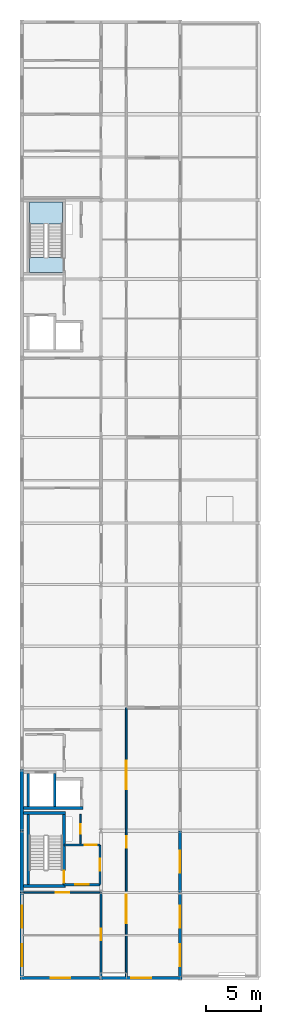
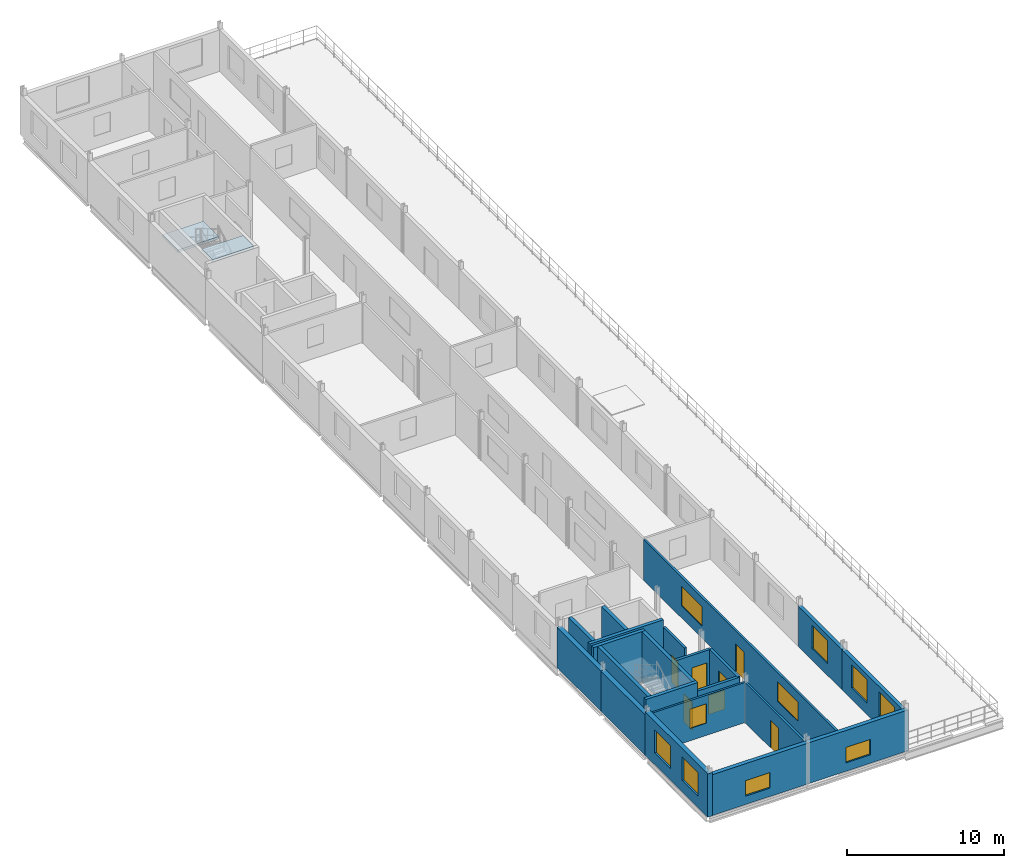
# One storey, part 7 of 14: 21 walls, 11 windows, 6 doors, 2 slabs, 17 openings, 1 element without a shape of its own.
"""IFC4 building model written with IfcOpenShell, lengths in metres."""

from ifc_helpers import new_model, si_unit, direction, frame, frame_2d, origin, place, context, subcontext, project, spatial, polyline, rectangle, outline, extrude, material, layer, layer_set, type_object, element, fill, aggregate, save


model = new_model("IFC4")

# Units and contexts
model_context = context("Model", 3, precision=1e-05, world=origin(), true_north=direction((0.0, 1.0)))
body_context = subcontext(model_context, "Body", "Model", "MODEL_VIEW")
ifc_project = project(units=[si_unit("LENGTHUNIT", "METRE"), si_unit("AREAUNIT", "SQUARE_METRE"), si_unit("VOLUMEUNIT", "CUBIC_METRE"), si_unit("PLANEANGLEUNIT", "RADIAN"), si_unit("MASSUNIT", "GRAM", prefix="KILO")], contexts=[model_context])

# Site, building, storey
site_placement = place(None, origin())
site = spatial("IfcSite", under=ifc_project, at=site_placement, CompositionType="ELEMENT")
building_placement = place(site_placement, origin())
building = spatial("IfcBuilding", under=site, at=building_placement, Name="Vinh Khe Railworks Police Headquarters", CompositionType="ELEMENT")
storey_placement = place(building_placement, frame((0.0, 0.0, 32.699951171875)))
storey = spatial("IfcBuildingStorey", under=building, at=storey_placement, Name="L08", CompositionType="ELEMENT", Elevation=32.699951171875)

# Stair, slabs
ifc_material_1 = material(Name="Precast concrete C40/50 (B40)", Category="concrete")
stair_type = type_object("IfcStairType", Name="ST-CORE-DOGLEG", PredefinedType="HALF_TURN_STAIR", material=ifc_material_1)
stair_placement = place(storey_placement, origin())
stair = element("IfcStair", 1, at=stair_placement, inside=storey, type_object=stair_type, Name="L08 Escape Stair ST-02", PredefinedType="HALF_TURN_STAIR")
ifc_material_2 = material(Name="Concrete C35/45 (B35)", Category="concrete")
ifc_layer_1 = layer(ifc_material_2, 0.199951171875)
ifc_layer_set_1 = layer_set([ifc_layer_1], Name="Concrete C35/45 (B35)")
slab_type = type_object("IfcSlabType", Name="SLB-LAND-200", PredefinedType="LANDING", material=ifc_layer_set_1)
slab_1_placement = place(storey_placement, frame((0.0, 0.0, 1.75)))
slab_1 = element("IfcSlab", 2, at=slab_1_placement, type_object=slab_type, Name="ST-02 landing 1", PredefinedType="LANDING", context=body_context, shape_type="SweptSolid", body=[
    extrude(outline(polyline([(4.300048828125, 86.030029296875), (4.300048828125, 88.0), (1.300048828125, 88.0), (1.300048828125, 86.030029296875), (4.300048828125, 86.030029296875)])), origin(), (0.0, 0.0, 1.0), 0.199951171875),
])
slab_2_placement = place(storey_placement, frame((0.0, 0.0, 3.699951171875)))
slab_2 = element("IfcSlab", 3, at=slab_2_placement, type_object=slab_type, Name="ST-02 landing 2", PredefinedType="LANDING", context=body_context, shape_type="SweptSolid", body=[
    extrude(outline(polyline([(1.280029296875, 81.580078125), (4.320068359375, 81.580078125), (4.320068359375, 82.9599609375), (1.280029296875, 82.9599609375), (1.280029296875, 81.580078125)])), origin(), (0.0, 0.0, 1.0), 0.2001953125),
])
aggregate(stair, [slab_1, slab_2])

# Walls
ifc_material_3 = material(Name="Concrete C40/50 (B40)", Category="concrete")
ifc_layer_2 = layer(ifc_material_3, 0.25)
ifc_layer_set_2 = layer_set([ifc_layer_2], Name="Concrete C40/50 (B40)")
wall_type_1 = type_object("IfcWallType", Name="Core Shear Wall 250", PredefinedType="SHEAR", material=ifc_layer_set_2)
for number, where, z_axis, x_axis, name in (
    (4, (0.75, 25.77490234375, 0.0), (0.0, 0.0, 1.0), (1.0, 0.0, 0.0), "Core C1 STAIR-S Shear Wall (L08)"),
    (5, (0.75, 32.425048828125, 0.0), (0.0, 0.0, 1.0), (1.0, 0.0, 0.0), "Core C1 STAIR-N Shear Wall (L08)"),
):
    element("IfcWall", number, at=place(storey_placement, frame(where, z_axis=z_axis, x_axis=x_axis)), inside=storey, type_object=wall_type_1, Name=name, PredefinedType="SHEAR", context=body_context, shape_type="SweptSolid", body=[
        extrude(rectangle(XDim=3.800048828125, YDim=0.25, at=frame_2d((1.89990234375, 0.0))), origin(), (0.0, 0.0, 1.0), 3.900146484375),
    ])
wall_1_placement = place(storey_placement, frame((1.175048828125, 25.89990234375, 0.0), z_axis=(0.0, 0.0, 1.0), x_axis=(0.0, 1.0, 0.0)))
element("IfcWall", 6, at=wall_1_placement, inside=storey, type_object=wall_type_1, Name="Core C1 STAIR-W Shear Wall (L08)", PredefinedType="SHEAR", context=body_context, shape_type="SweptSolid", body=[
    extrude(rectangle(XDim=6.400146484375, YDim=0.25, at=frame_2d((3.2001953125, 0.0))), origin(), (0.0, 0.0, 1.0), 3.900146484375),
])

# Wall, opening, door
wall_2_placement = place(storey_placement, frame((4.425048828125, 25.89990234375, 0.0), z_axis=(0.0, 0.0, 1.0), x_axis=(0.0, 1.0, 0.0)))
wall_2 = element("IfcWall", 7, at=wall_2_placement, inside=storey, type_object=wall_type_1, Name="Core C1 STAIR-E Shear Wall (L08)", PredefinedType="SHEAR", context=body_context, shape_type="SweptSolid", body=[
    extrude(rectangle(XDim=6.400146484375, YDim=0.25, at=frame_2d((3.2001953125, 0.0))), origin(), (0.0, 0.0, 1.0), 3.900146484375),
])
opening_1_placement = place(wall_2_placement, frame((0.169921875, 0.0, 0.0)))
opening_1 = element("IfcOpeningElement", 8, at=opening_1_placement, cuts=wall_2, Name="Opening FD-01", PredefinedType="OPENING", context=body_context, shape_type="SweptSolid", body=[
    extrude(rectangle(XDim=1.10009765625, YDim=2.14990234375, at=frame_2d((0.550048828125, 1.074951171875))), frame((0.0, 0.139892578125, 0.0), z_axis=(0.0, -1.0, 0.0), x_axis=(1.0, 0.0, 0.0)), (0.0, 0.0, 1.0), 0.27978515625),
])
ifc_material_4 = material(Name="Painted galvanised steel", Category="steel")
door_type_1 = type_object("IfcDoorType", Name="FD-1100x2150", OperationType="NOTDEFINED", PredefinedType="DOOR", material=ifc_material_4)
door_1_placement = place(opening_1_placement, frame((1.10009765625, 0.0, 0.0), z_axis=(0.0, 0.0, 1.0), x_axis=(-1.0, 0.0, 0.0)))
door_1 = element("IfcDoor", 9, at=door_1_placement, inside=storey, type_object=door_type_1, Name="Escape Stair ST-01 Fire Door L08", OperationType="SINGLE_SWING_LEFT", OverallHeight=2.14990234375, OverallWidth=1.10009765625, PredefinedType="DOOR", context=body_context, shape_type="SweptSolid", body=[
    extrude(rectangle(XDim=1.10009765625, YDim=2.14990234375, at=frame_2d((0.550048828125, 1.074951171875))), frame((0.0, 0.02490234375, 0.0), z_axis=(0.0, -1.0, 0.0), x_axis=(1.0, 0.0, 0.0)), (0.0, 0.0, 1.0), 0.050048828125),
])
fill(opening_1, door_1)

# Walls
wall_3_placement = place(storey_placement, frame((0.75, 32.875, 0.0), z_axis=(0.0, 0.0, 1.0), x_axis=(1.0, 0.0, 0.0)))
element("IfcWall", 10, at=wall_3_placement, inside=storey, type_object=wall_type_1, Name="Core C1 FL-S Lift Shaft Wall (L08)", PredefinedType="SHEAR", context=body_context, shape_type="SweptSolid", body=[
    extrude(rectangle(XDim=5.39990234375, YDim=0.25, at=frame_2d((2.699951171875, 0.0))), origin(), (0.0, 0.0, 1.0), 3.900146484375),
])
for number, where, z_axis, x_axis, name in (
    (11, (1.175048828125, 33.0, 0.0), (0.0, 0.0, 1.0), (0.0, 1.0, 0.0), "Core C1 FL-W Lift Shaft Wall (L08)"),
    (12, (3.60009765625, 33.0, 0.0), (0.0, 0.0, 1.0), (0.0, 1.0, 0.0), "Core C1 LIFT-DIV Lift Shaft Wall (L08)"),
):
    element("IfcWall", number, at=place(storey_placement, frame(where, z_axis=z_axis, x_axis=x_axis)), inside=storey, type_object=wall_type_1, Name=name, PredefinedType="SHEAR", context=body_context, shape_type="SweptSolid", body=[
        extrude(rectangle(XDim=3.0, YDim=0.25, at=frame_2d((1.5, 0.0))), origin(), (0.0, 0.0, 1.0), 3.900146484375),
    ])

# Wall, openings, windows
ifc_material_5 = material(Name="Clay brickwork", Category="masonry")
ifc_layer_3 = layer(ifc_material_5, 0.260009765625)
ifc_layer_set_3 = layer_set([ifc_layer_3], Name="Clay brickwork")
wall_type_2 = type_object("IfcWallType", Name="EW-BRK-260", PredefinedType="SOLIDWALL", material=ifc_layer_set_3)
wall_4_placement = place(storey_placement, frame((15.0, 17.27001953125, 0.0), z_axis=(0.0, 0.0, 1.0), x_axis=(0.0, 1.0, 0.0)))
wall_4 = element("IfcWall", 13, at=wall_4_placement, inside=storey, type_object=wall_type_2, Name="Exterior Brick Wall EW-L08-V5E-01", PredefinedType="SOLIDWALL", context=body_context, shape_type="SweptSolid", body=[
    extrude(rectangle(XDim=7.929931640625, YDim=0.260009765625, at=frame_2d((3.96484375, 0.0))), origin(), (0.0, 0.0, 1.0), 3.114990234375),
])
opening_2_placement = place(wall_4_placement, frame((1.220458984375, 0.0, 0.89990234375)))
opening_2 = element("IfcOpeningElement", 14, at=opening_2_placement, cuts=wall_4, Name="Opening WN-04", PredefinedType="OPENING", context=body_context, shape_type="SweptSolid", body=[
    extrude(rectangle(XDim=2.0, YDim=1.800048828125, at=frame_2d((1.0, 0.89990234375))), frame((0.0, 0.14501953125, 0.0), z_axis=(0.0, -1.0, 0.0), x_axis=(1.0, 0.0, 0.0)), (0.0, 0.0, 1.0), 0.289794921875),
])
opening_3_placement = place(wall_4_placement, frame((4.709716796875, 0.0, 0.89990234375)))
opening_3 = element("IfcOpeningElement", 15, at=opening_3_placement, cuts=wall_4, Name="Opening WN-04", PredefinedType="OPENING", context=body_context, shape_type="SweptSolid", body=[
    extrude(rectangle(XDim=2.0, YDim=1.800048828125, at=frame_2d((1.0, 0.89990234375))), frame((0.0, 0.14501953125, 0.0), z_axis=(0.0, -1.0, 0.0), x_axis=(1.0, 0.0, 0.0)), (0.0, 0.0, 1.0), 0.289794921875),
])
ifc_material_6 = material(Name="Double-glazed solar-control glass in dark steel frame", Category="steel")
window_type_1 = type_object("IfcWindowType", Name="WIN-WN-04", PartitioningType="DOUBLE_PANEL_VERTICAL", PredefinedType="WINDOW", material=ifc_material_6)
window_1_placement = place(opening_2_placement, origin())
window_1 = element("IfcWindow", 16, at=window_1_placement, inside=storey, type_object=window_type_1, Name="Casement Window WN-04", OverallHeight=1.800048828125, OverallWidth=2.0, PartitioningType="SINGLE_PANEL", PredefinedType="WINDOW", context=body_context, shape_type="SweptSolid", body=[
    extrude(rectangle(XDim=2.0, YDim=1.800048828125, at=frame_2d((1.0, 0.89990234375))), frame((0.0, 0.030029296875, 0.0), z_axis=(0.0, -1.0, 0.0), x_axis=(1.0, 0.0, 0.0)), (0.0, 0.0, 1.0), 0.06005859375),
])
fill(opening_2, window_1)
window_2_placement = place(opening_3_placement, origin())
window_2 = element("IfcWindow", 17, at=window_2_placement, inside=storey, type_object=window_type_1, Name="Casement Window WN-04", OverallHeight=1.800048828125, OverallWidth=2.0, PartitioningType="SINGLE_PANEL", PredefinedType="WINDOW", context=body_context, shape_type="SweptSolid", body=[
    extrude(rectangle(XDim=2.0, YDim=1.800048828125, at=frame_2d((1.0, 0.89990234375))), frame((0.0, 0.030029296875, 0.0), z_axis=(0.0, -1.0, 0.0), x_axis=(1.0, 0.0, 0.0)), (0.0, 0.0, 1.0), 0.06005859375),
])
fill(opening_3, window_2)

# Wall, opening, window
wall_5_placement = place(storey_placement, frame((15.0, 25.199951171875, 0.0), z_axis=(0.0, 0.0, 1.0), x_axis=(0.0, 1.0, 0.0)))
wall_5 = element("IfcWall", 18, at=wall_5_placement, inside=storey, type_object=wall_type_2, Name="Exterior Brick Wall EW-L08-V5E-02", PredefinedType="SOLIDWALL", context=body_context, shape_type="SweptSolid", body=[
    extrude(rectangle(XDim=5.60009765625, YDim=0.260009765625, at=frame_2d((2.800048828125, 0.0))), origin(), (0.0, 0.0, 1.0), 3.114990234375),
])
opening_4_placement = place(wall_5_placement, frame((1.800048828125, 0.0, 0.89990234375)))
opening_4 = element("IfcOpeningElement", 19, at=opening_4_placement, cuts=wall_5, Name="Opening WN-04", PredefinedType="OPENING", context=body_context, shape_type="SweptSolid", body=[
    extrude(rectangle(XDim=2.0, YDim=1.800048828125, at=frame_2d((1.0, 0.89990234375))), frame((0.0, 0.14501953125, 0.0), z_axis=(0.0, -1.0, 0.0), x_axis=(1.0, 0.0, 0.0)), (0.0, 0.0, 1.0), 0.289794921875),
])
window_3_placement = place(opening_4_placement, origin())
window_3 = element("IfcWindow", 20, at=window_3_placement, inside=storey, type_object=window_type_1, Name="Casement Window WN-04", OverallHeight=1.800048828125, OverallWidth=2.0, PartitioningType="SINGLE_PANEL", PredefinedType="WINDOW", context=body_context, shape_type="SweptSolid", body=[
    extrude(rectangle(XDim=2.0, YDim=1.800048828125, at=frame_2d((1.0, 0.89990234375))), frame((0.0, 0.030029296875, 0.0), z_axis=(0.0, -1.0, 0.0), x_axis=(1.0, 0.0, 0.0)), (0.0, 0.0, 1.0), 0.06005859375),
])
fill(opening_4, window_3)

ifc_layer_4 = layer(ifc_material_5, 0.300048828125)
ifc_layer_set_4 = layer_set([ifc_layer_4], Name="Clay brickwork")
wall_type_3 = type_object("IfcWallType", Name="EW-BRK-300", PredefinedType="SOLIDWALL", material=ifc_layer_set_4)
wall_6_placement = place(storey_placement, frame((0.449951171875, 17.39990234375, 0.0), z_axis=(0.0, 0.0, 1.0), x_axis=(1.0, 0.0, 0.0)))
wall_6 = element("IfcWall", 21, at=wall_6_placement, inside=storey, type_object=wall_type_3, Name="Exterior Brick Wall EW-L08-V5S-01", PredefinedType="SOLIDWALL", context=body_context, shape_type="SweptSolid", body=[
    extrude(rectangle(XDim=7.35009765625, YDim=0.300048828125, at=frame_2d((3.675048828125, 0.0))), origin(), (0.0, 0.0, 1.0), 3.1650390625),
])
opening_5_placement = place(wall_6_placement, frame((2.77490234375, 0.0, 0.64990234375)))
opening_5 = element("IfcOpeningElement", 22, at=opening_5_placement, cuts=wall_6, Name="Opening WN-08", PredefinedType="OPENING", context=body_context, shape_type="SweptSolid", body=[
    extrude(rectangle(XDim=1.800048828125, YDim=1.199951171875, at=frame_2d((0.89990234375, 0.60009765625))), frame((0.0, 0.1650390625, 0.0), z_axis=(0.0, -1.0, 0.0), x_axis=(1.0, 0.0, 0.0)), (0.0, 0.0, 1.0), 0.329833984375),
])
window_type_2 = type_object("IfcWindowType", Name="WIN-WN-08", PartitioningType="SINGLE_PANEL", PredefinedType="WINDOW", material=ifc_material_6)
window_4_placement = place(opening_5_placement, origin())
window_4 = element("IfcWindow", 23, at=window_4_placement, inside=storey, type_object=window_type_2, Name="Casement Window WN-08", OverallHeight=1.199951171875, OverallWidth=1.800048828125, PartitioningType="SINGLE_PANEL", PredefinedType="WINDOW", context=body_context, shape_type="SweptSolid", body=[
    extrude(rectangle(XDim=1.800048828125, YDim=1.199951171875, at=frame_2d((0.89990234375, 0.60009765625))), frame((0.0, 0.030029296875, 0.0), z_axis=(0.0, -1.0, 0.0), x_axis=(1.0, 0.0, 0.0)), (0.0, 0.0, 1.0), 0.06005859375),
])
fill(opening_5, window_4)

wall_7_placement = place(storey_placement, frame((7.800048828125, 17.39990234375, 0.0), z_axis=(0.0, 0.0, 1.0), x_axis=(1.0, 0.0, 0.0)))
wall_7 = element("IfcWall", 24, at=wall_7_placement, inside=storey, type_object=wall_type_3, Name="Exterior Brick Wall EW-L08-V5S-02", PredefinedType="SOLIDWALL", context=body_context, shape_type="SweptSolid", body=[
    extrude(rectangle(XDim=7.349853515625, YDim=0.300048828125, at=frame_2d((3.6748046875, 0.0))), origin(), (0.0, 0.0, 1.0), 3.1650390625),
])
opening_6_placement = place(wall_7_placement, frame((2.77490234375, 0.0, 0.64990234375)))
opening_6 = element("IfcOpeningElement", 25, at=opening_6_placement, cuts=wall_7, Name="Opening WN-08", PredefinedType="OPENING", context=body_context, shape_type="SweptSolid", body=[
    extrude(rectangle(XDim=1.800048828125, YDim=1.199951171875, at=frame_2d((0.89990234375, 0.60009765625))), frame((0.0, 0.1650390625, 0.0), z_axis=(0.0, -1.0, 0.0), x_axis=(1.0, 0.0, 0.0)), (0.0, 0.0, 1.0), 0.329833984375),
])
window_5_placement = place(opening_6_placement, origin())
window_5 = element("IfcWindow", 26, at=window_5_placement, inside=storey, type_object=window_type_2, Name="Casement Window WN-08", OverallHeight=1.199951171875, OverallWidth=1.800048828125, PartitioningType="SINGLE_PANEL", PredefinedType="WINDOW", context=body_context, shape_type="SweptSolid", body=[
    extrude(rectangle(XDim=1.800048828125, YDim=1.199951171875, at=frame_2d((0.89990234375, 0.60009765625))), frame((0.0, 0.030029296875, 0.0), z_axis=(0.0, -1.0, 0.0), x_axis=(1.0, 0.0, 0.0)), (0.0, 0.0, 1.0), 0.06005859375),
])
fill(opening_6, window_5)

# Wall, openings, windows
ifc_layer_5 = layer(ifc_material_5, 0.340087890625)
ifc_layer_set_5 = layer_set([ifc_layer_5], Name="Clay brickwork")
wall_type_4 = type_object("IfcWallType", Name="EW-BRK-340", PredefinedType="SOLIDWALL", material=ifc_layer_set_5)
wall_8_placement = place(storey_placement, frame((0.60009765625, 17.22998046875, 0.0), z_axis=(0.0, 0.0, 1.0), x_axis=(0.0, 1.0, 0.0)))
wall_8 = element("IfcWall", 27, at=wall_8_placement, inside=storey, type_object=wall_type_4, Name="Exterior Brick Wall EW-L08-V5W-01", PredefinedType="SOLIDWALL", context=body_context, shape_type="SweptSolid", body=[
    extrude(rectangle(XDim=7.969970703125, YDim=0.340087890625, at=frame_2d((3.98486328125, 0.0))), origin(), (0.0, 0.0, 1.0), 3.364990234375),
])
opening_7_placement = place(wall_8_placement, frame((1.231689453125, 0.0, 0.89990234375)))
opening_7 = element("IfcOpeningElement", 28, at=opening_7_placement, cuts=wall_8, Name="Opening WN-04", PredefinedType="OPENING", context=body_context, shape_type="SweptSolid", body=[
    extrude(rectangle(XDim=2.0, YDim=1.800048828125, at=frame_2d((1.0, 0.89990234375))), frame((0.0, 0.18505859375, 0.0), z_axis=(0.0, -1.0, 0.0), x_axis=(1.0, 0.0, 0.0)), (0.0, 0.0, 1.0), 0.369873046875),
])
opening_8_placement = place(wall_8_placement, frame((4.73828125, 0.0, 0.89990234375)))
opening_8 = element("IfcOpeningElement", 29, at=opening_8_placement, cuts=wall_8, Name="Opening WN-04", PredefinedType="OPENING", context=body_context, shape_type="SweptSolid", body=[
    extrude(rectangle(XDim=2.0, YDim=1.800048828125, at=frame_2d((1.0, 0.89990234375))), frame((0.0, 0.18505859375, 0.0), z_axis=(0.0, -1.0, 0.0), x_axis=(1.0, 0.0, 0.0)), (0.0, 0.0, 1.0), 0.369873046875),
])
window_6_placement = place(opening_7_placement, origin())
window_6 = element("IfcWindow", 30, at=window_6_placement, inside=storey, type_object=window_type_1, Name="Casement Window WN-04", OverallHeight=1.800048828125, OverallWidth=2.0, PartitioningType="SINGLE_PANEL", PredefinedType="WINDOW", context=body_context, shape_type="SweptSolid", body=[
    extrude(rectangle(XDim=2.0, YDim=1.800048828125, at=frame_2d((1.0, 0.89990234375))), frame((0.0, 0.030029296875, 0.0), z_axis=(0.0, -1.0, 0.0), x_axis=(1.0, 0.0, 0.0)), (0.0, 0.0, 1.0), 0.06005859375),
])
fill(opening_7, window_6)
window_7_placement = place(opening_8_placement, origin())
window_7 = element("IfcWindow", 31, at=window_7_placement, inside=storey, type_object=window_type_1, Name="Casement Window WN-04", OverallHeight=1.800048828125, OverallWidth=2.0, PartitioningType="SINGLE_PANEL", PredefinedType="WINDOW", context=body_context, shape_type="SweptSolid", body=[
    extrude(rectangle(XDim=2.0, YDim=1.800048828125, at=frame_2d((1.0, 0.89990234375))), frame((0.0, 0.030029296875, 0.0), z_axis=(0.0, -1.0, 0.0), x_axis=(1.0, 0.0, 0.0)), (0.0, 0.0, 1.0), 0.06005859375),
])
fill(opening_8, window_7)

# Walls
wall_9_placement = place(storey_placement, frame((0.60009765625, 25.199951171875, 0.0), z_axis=(0.0, 0.0, 1.0), x_axis=(0.0, 1.0, 0.0)))
element("IfcWall", 32, at=wall_9_placement, inside=storey, type_object=wall_type_4, Name="Exterior Brick Wall EW-L08-V5W-02", PredefinedType="SOLIDWALL", context=body_context, shape_type="SweptSolid", body=[
    extrude(rectangle(XDim=5.60009765625, YDim=0.340087890625, at=frame_2d((2.800048828125, 0.0))), origin(), (0.0, 0.0, 1.0), 3.114990234375),
])
wall_10_placement = place(storey_placement, frame((0.60009765625, 30.800048828125, 0.0), z_axis=(0.0, 0.0, 1.0), x_axis=(0.0, 1.0, 0.0)))
element("IfcWall", 33, at=wall_10_placement, inside=storey, type_object=wall_type_4, Name="Exterior Brick Wall EW-L08-V5W-03", PredefinedType="SOLIDWALL", context=body_context, shape_type="SweptSolid", body=[
    extrude(rectangle(XDim=5.599853515625, YDim=0.340087890625, at=frame_2d((2.7998046875, 0.0))), origin(), (0.0, 0.0, 1.0), 3.114990234375),
])

# Wall, opening, window
ifc_material_7 = material(Name="Autoclaved aerated concrete blockwork", Category="masonry")
ifc_layer_6 = layer(ifc_material_7, 0.199951171875)
ifc_layer_set_6 = layer_set([ifc_layer_6], Name="Autoclaved aerated concrete blockwork")
wall_type_5 = type_object("IfcWallType", Name="IW-BLK-200", PredefinedType="PARTITIONING", material=ifc_layer_set_6)
wall_11_placement = place(storey_placement, frame((4.449951171875, 25.89990234375, 0.0), z_axis=(0.0, 0.0, 1.0), x_axis=(1.0, 0.0, 0.0)))
wall_11 = element("IfcWall", 34, at=wall_11_placement, inside=storey, type_object=wall_type_5, Name="Interior Partition W-STL-C1-S-L08", PredefinedType="PARTITIONING", context=body_context, shape_type="SweptSolid", body=[
    extrude(rectangle(XDim=3.25, YDim=0.199951171875, at=frame_2d((1.625, 0.0))), origin(), (0.0, 0.0, 1.0), 3.114990234375),
])
opening_9_placement = place(wall_11_placement, frame((1.02490234375, 0.0, 0.949951171875)))
opening_9 = element("IfcOpeningElement", 35, at=opening_9_placement, cuts=wall_11, Name="Opening WN-10", PredefinedType="OPENING", context=body_context, shape_type="SweptSolid", body=[
    extrude(rectangle(XDim=1.199951171875, YDim=1.5, at=frame_2d((0.60009765625, 0.75))), frame((0.0, 0.11474609375, 0.0), z_axis=(0.0, -1.0, 0.0), x_axis=(1.0, 0.0, 0.0)), (0.0, 0.0, 1.0), 0.229736328125),
])
window_type_3 = type_object("IfcWindowType", Name="WIN-WN-10", PartitioningType="SINGLE_PANEL", PredefinedType="WINDOW", material=ifc_material_6)
window_8_placement = place(opening_9_placement, origin())
window_8 = element("IfcWindow", 36, at=window_8_placement, inside=storey, type_object=window_type_3, Name="Interior Acoustic Vision Window WN-10", OverallHeight=1.5, OverallWidth=1.199951171875, PartitioningType="SINGLE_PANEL", PredefinedType="WINDOW", context=body_context, shape_type="SweptSolid", body=[
    extrude(rectangle(XDim=1.199951171875, YDim=1.5, at=frame_2d((0.60009765625, 0.75))), frame((0.0, 0.030029296875, 0.0), z_axis=(0.0, -1.0, 0.0), x_axis=(1.0, 0.0, 0.0)), (0.0, 0.0, 1.0), 0.06005859375),
])
fill(opening_9, window_8)

# Wall, opening, door
wall_12_placement = place(storey_placement, frame((4.449951171875, 29.5, 0.0), z_axis=(0.0, 0.0, 1.0), x_axis=(1.0, 0.0, 0.0)))
wall_12 = element("IfcWall", 37, at=wall_12_placement, inside=storey, type_object=wall_type_5, Name="Interior Partition W-STL-C1-N-L08", PredefinedType="PARTITIONING", context=body_context, shape_type="SweptSolid", body=[
    extrude(rectangle(XDim=3.25, YDim=0.199951171875, at=frame_2d((1.625, 0.0))), origin(), (0.0, 0.0, 1.0), 3.114990234375),
])
opening_10_placement = place(wall_12_placement, frame((1.85009765625, 0.0, 0.0)))
opening_10 = element("IfcOpeningElement", 38, at=opening_10_placement, cuts=wall_12, Name="Opening FD-01", PredefinedType="OPENING", context=body_context, shape_type="SweptSolid", body=[
    extrude(rectangle(XDim=1.10009765625, YDim=2.14990234375, at=frame_2d((0.550048828125, 1.074951171875))), frame((0.0, 0.11474609375, 0.0), z_axis=(0.0, -1.0, 0.0), x_axis=(1.0, 0.0, 0.0)), (0.0, 0.0, 1.0), 0.229736328125),
])
door_2_placement = place(opening_10_placement, origin())
door_2 = element("IfcDoor", 39, at=door_2_placement, inside=storey, type_object=door_type_1, Name="Lift Lobby Stair Fire Door", OperationType="SINGLE_SWING_LEFT", OverallHeight=2.14990234375, OverallWidth=1.10009765625, PredefinedType="DOOR", context=body_context, shape_type="SweptSolid", body=[
    extrude(rectangle(XDim=1.10009765625, YDim=2.14990234375, at=frame_2d((0.550048828125, 1.074951171875))), frame((0.0, 0.02490234375, 0.0), z_axis=(0.0, -1.0, 0.0), x_axis=(1.0, 0.0, 0.0)), (0.0, 0.0, 1.0), 0.050048828125),
])
fill(opening_10, door_2)

wall_13_placement = place(storey_placement, frame((7.699951171875, 25.89990234375, 0.0), z_axis=(0.0, 0.0, 1.0), x_axis=(0.0, 1.0, 0.0)))
wall_13 = element("IfcWall", 40, at=wall_13_placement, inside=storey, type_object=wall_type_5, Name="Interior Partition W-STL-C1-E-L08", PredefinedType="PARTITIONING", context=body_context, shape_type="SweptSolid", body=[
    extrude(rectangle(XDim=3.60009765625, YDim=0.199951171875, at=frame_2d((1.800048828125, 0.0))), origin(), (0.0, 0.0, 1.0), 3.114990234375),
])
opening_11_placement = place(wall_13_placement, frame((1.25, 0.0, 0.0)))
opening_11 = element("IfcOpeningElement", 41, at=opening_11_placement, cuts=wall_13, Name="Opening FD-01", PredefinedType="OPENING", context=body_context, shape_type="SweptSolid", body=[
    extrude(rectangle(XDim=1.10009765625, YDim=2.14990234375, at=frame_2d((0.550048828125, 1.074951171875))), frame((0.0, 0.11474609375, 0.0), z_axis=(0.0, -1.0, 0.0), x_axis=(1.0, 0.0, 0.0)), (0.0, 0.0, 1.0), 0.229736328125),
])
door_3_placement = place(opening_11_placement, origin())
door_3 = element("IfcDoor", 42, at=door_3_placement, inside=storey, type_object=door_type_1, Name="Stair Vestibule Fire Door", OperationType="SINGLE_SWING_RIGHT", OverallHeight=2.14990234375, OverallWidth=1.10009765625, PredefinedType="DOOR", context=body_context, shape_type="SweptSolid", body=[
    extrude(rectangle(XDim=1.10009765625, YDim=2.14990234375, at=frame_2d((0.550048828125, 1.074951171875))), frame((0.0, 0.02490234375, 0.0), z_axis=(0.0, -1.0, 0.0), x_axis=(1.0, 0.0, 0.0)), (0.0, 0.0, 1.0), 0.050048828125),
])
fill(opening_11, door_3)

# Wall, opening, window
ifc_material_8 = material(Name="Gypsum plasterboard on steel stud", Category="steel")
ifc_layer_7 = layer(ifc_material_8, 0.1201171875)
ifc_layer_set_7 = layer_set([ifc_layer_7], Name="Gypsum plasterboard on steel stud")
wall_type_6 = type_object("IfcWallType", Name="IW-PART-120", PredefinedType="PARTITIONING", material=ifc_layer_set_7)
wall_14_placement = place(storey_placement, frame((0.780029296875, 25.199951171875, 0.0), z_axis=(0.0, 0.0, 1.0), x_axis=(1.0, 0.0, 0.0)))
wall_14 = element("IfcWall", 43, at=wall_14_placement, inside=storey, type_object=wall_type_6, Name="Interior Partition W-L08-V5-SEC8-ENDN", PredefinedType="PARTITIONING", context=body_context, shape_type="SweptSolid", body=[
    extrude(rectangle(XDim=7.02001953125, YDim=0.14990234375, at=frame_2d((3.510009765625, 0.0))), origin(), (0.0, 0.0, 1.0), 3.114990234375),
])
opening_12_placement = place(wall_14_placement, frame((2.909912109375, 0.0, 0.949951171875)))
opening_12 = element("IfcOpeningElement", 44, at=opening_12_placement, cuts=wall_14, Name="Opening WN-10", PredefinedType="OPENING", context=body_context, shape_type="SweptSolid", body=[
    extrude(rectangle(XDim=1.199951171875, YDim=1.5, at=frame_2d((0.60009765625, 0.75))), frame((0.0, 0.08984375, 0.0), z_axis=(0.0, -1.0, 0.0), x_axis=(1.0, 0.0, 0.0)), (0.0, 0.0, 1.0), 0.1796875),
])
window_9_placement = place(opening_12_placement, origin())
window_9 = element("IfcWindow", 45, at=window_9_placement, inside=storey, type_object=window_type_3, Name="Interior Acoustic Vision Window WN-10", OverallHeight=1.5, OverallWidth=1.199951171875, PartitioningType="SINGLE_PANEL", PredefinedType="WINDOW", context=body_context, shape_type="SweptSolid", body=[
    extrude(rectangle(XDim=1.199951171875, YDim=1.5, at=frame_2d((0.60009765625, 0.75))), frame((0.0, 0.030029296875, 0.0), z_axis=(0.0, -1.0, 0.0), x_axis=(1.0, 0.0, 0.0)), (0.0, 0.0, 1.0), 0.06005859375),
])
fill(opening_12, window_9)

# Wall, opening, door
ifc_material_9 = material(Name="Gypsum plasterboard on acoustic steel stud", Category="steel")
ifc_layer_8 = layer(ifc_material_9, 0.14990234375)
ifc_layer_set_8 = layer_set([ifc_layer_8], Name="Gypsum plasterboard on acoustic steel stud")
wall_type_7 = type_object("IfcWallType", Name="IW-PART-150", PredefinedType="PARTITIONING", material=ifc_layer_set_8)
wall_15_placement = place(storey_placement, frame((5.949951171875, 29.60009765625, 0.0), z_axis=(0.0, 0.0, 1.0), x_axis=(0.0, 1.0, 0.0)))
wall_15 = element("IfcWall", 46, at=wall_15_placement, inside=storey, type_object=wall_type_7, Name="Interior Partition W-RSR-C1-E-L08", PredefinedType="PARTITIONING", context=body_context, shape_type="SweptSolid", body=[
    extrude(rectangle(XDim=2.699951171875, YDim=0.14990234375, at=frame_2d((1.35009765625, 0.0))), origin(), (0.0, 0.0, 1.0), 3.715087890625),
])
opening_13_placement = place(wall_15_placement, frame((0.925048828125, 0.0, 0.0)))
opening_13 = element("IfcOpeningElement", 47, at=opening_13_placement, cuts=wall_15, Name="Opening FD-04", PredefinedType="OPENING", context=body_context, shape_type="SweptSolid", body=[
    extrude(rectangle(XDim=0.85009765625, YDim=2.10009765625, at=frame_2d((0.425048828125, 1.050048828125))), frame((0.0, 0.08984375, 0.0), z_axis=(0.0, -1.0, 0.0), x_axis=(1.0, 0.0, 0.0)), (0.0, 0.0, 1.0), 0.1796875),
])
door_type_2 = type_object("IfcDoorType", Name="FD-850x2100", OperationType="NOTDEFINED", PredefinedType="DOOR", material=ifc_material_4)
door_4_placement = place(opening_13_placement, origin())
door_4 = element("IfcDoor", 48, at=door_4_placement, inside=storey, type_object=door_type_2, Name="Electrical Riser Access Door", OperationType="SINGLE_SWING_LEFT", OverallHeight=2.10009765625, OverallWidth=0.85009765625, PredefinedType="DOOR", context=body_context, shape_type="SweptSolid", body=[
    extrude(rectangle(XDim=0.85009765625, YDim=2.10009765625, at=frame_2d((0.425048828125, 1.050048828125))), frame((0.0, 0.02490234375, 0.0), z_axis=(0.0, -1.0, 0.0), x_axis=(1.0, 0.0, 0.0)), (0.0, 0.0, 1.0), 0.050048828125),
])
fill(opening_13, door_4)

wall_16_placement = place(storey_placement, frame((7.800048828125, 17.56005859375, 0.0), z_axis=(0.0, 0.0, 1.0), x_axis=(0.0, 1.0, 0.0)))
wall_16 = element("IfcWall", 49, at=wall_16_placement, inside=storey, type_object=wall_type_7, Name="Interior Partition W-L08-V5-SEC8-CW", PredefinedType="PARTITIONING", context=body_context, shape_type="SweptSolid", body=[
    extrude(rectangle(XDim=7.639892578125, YDim=0.14990234375, at=frame_2d((3.81982421875, 0.0))), origin(), (0.0, 0.0, 1.0), 3.114990234375),
])
opening_14_placement = place(wall_16_placement, frame((3.294921875, 0.0, 0.0)))
opening_14 = element("IfcOpeningElement", 50, at=opening_14_placement, cuts=wall_16, Name="Opening D-02", PredefinedType="OPENING", context=body_context, shape_type="SweptSolid", body=[
    extrude(rectangle(XDim=1.050048828125, YDim=2.14990234375, at=frame_2d((0.52490234375, 1.074951171875))), frame((0.0, 0.08984375, 0.0), z_axis=(0.0, -1.0, 0.0), x_axis=(1.0, 0.0, 0.0)), (0.0, 0.0, 1.0), 0.1796875),
])
ifc_material_10 = material(Name="Seasoned hardwood timber", Category="wood")
door_type_3 = type_object("IfcDoorType", Name="ID-1050x2150", OperationType="NOTDEFINED", PredefinedType="DOOR", material=ifc_material_10)
door_5_placement = place(opening_14_placement, origin())
door_5 = element("IfcDoor", 51, at=door_5_placement, inside=storey, type_object=door_type_3, Name="Executive Secretariat Office Door", OperationType="SINGLE_SWING_LEFT", OverallHeight=2.14990234375, OverallWidth=1.050048828125, PredefinedType="DOOR", context=body_context, shape_type="SweptSolid", body=[
    extrude(rectangle(XDim=1.050048828125, YDim=2.14990234375, at=frame_2d((0.52490234375, 1.074951171875))), frame((0.0, 0.02490234375, 0.0), z_axis=(0.0, -1.0, 0.0), x_axis=(1.0, 0.0, 0.0)), (0.0, 0.0, 1.0), 0.050048828125),
])
fill(opening_14, door_5)

# Wall, openings, door, windows
wall_17_placement = place(storey_placement, frame((10.10009765625, 17.56005859375, 0.0), z_axis=(0.0, 0.0, 1.0), x_axis=(0.0, 1.0, 0.0)))
wall_17 = element("IfcWall", 52, at=wall_17_placement, inside=storey, type_object=wall_type_7, Name="Interior Partition W-L08-V5-COMM8-CE", PredefinedType="PARTITIONING", context=body_context, shape_type="SweptSolid", body=[
    extrude(rectangle(XDim=24.43994140625, YDim=0.14990234375, at=frame_2d((12.219970703125, 0.0))), origin(), (0.0, 0.0, 1.0), 3.1650390625),
])
opening_15_placement = place(wall_17_placement, frame((11.695068359375, 0.0, 0.0)))
opening_15 = element("IfcOpeningElement", 53, at=opening_15_placement, cuts=wall_17, Name="Opening D-02", PredefinedType="OPENING", context=body_context, shape_type="SweptSolid", body=[
    extrude(rectangle(XDim=1.050048828125, YDim=2.14990234375, at=frame_2d((0.52490234375, 1.074951171875))), frame((0.0, 0.08984375, 0.0), z_axis=(0.0, -1.0, 0.0), x_axis=(1.0, 0.0, 0.0)), (0.0, 0.0, 1.0), 0.1796875),
])
opening_16_placement = place(wall_17_placement, frame((4.81005859375, 0.0, 0.949951171875)))
opening_16 = element("IfcOpeningElement", 54, at=opening_16_placement, cuts=wall_17, Name="Opening WN-07", PredefinedType="OPENING", context=body_context, shape_type="SweptSolid", body=[
    extrude(rectangle(XDim=2.60009765625, YDim=1.5, at=frame_2d((1.300048828125, 0.75))), frame((0.0, 0.08984375, 0.0), z_axis=(0.0, -1.0, 0.0), x_axis=(1.0, 0.0, 0.0)), (0.0, 0.0, 1.0), 0.1796875),
])
opening_17_placement = place(wall_17_placement, frame((17.030029296875, 0.0, 0.949951171875)))
opening_17 = element("IfcOpeningElement", 55, at=opening_17_placement, cuts=wall_17, Name="Opening WN-07", PredefinedType="OPENING", context=body_context, shape_type="SweptSolid", body=[
    extrude(rectangle(XDim=2.60009765625, YDim=1.5, at=frame_2d((1.300048828125, 0.75))), frame((0.0, 0.08984375, 0.0), z_axis=(0.0, -1.0, 0.0), x_axis=(1.0, 0.0, 0.0)), (0.0, 0.0, 1.0), 0.1796875),
])
door_6_placement = place(opening_15_placement, origin())
door_6 = element("IfcDoor", 56, at=door_6_placement, inside=storey, type_object=door_type_3, Name="Municipal Police Commissioner Suite Door", OperationType="SINGLE_SWING_RIGHT", OverallHeight=2.14990234375, OverallWidth=1.050048828125, PredefinedType="DOOR", context=body_context, shape_type="SweptSolid", body=[
    extrude(rectangle(XDim=1.050048828125, YDim=2.14990234375, at=frame_2d((0.52490234375, 1.074951171875))), frame((0.0, 0.02490234375, 0.0), z_axis=(0.0, -1.0, 0.0), x_axis=(1.0, 0.0, 0.0)), (0.0, 0.0, 1.0), 0.050048828125),
])
fill(opening_15, door_6)
window_type_4 = type_object("IfcWindowType", Name="WIN-WN-07", PartitioningType="DOUBLE_PANEL_HORIZONTAL", PredefinedType="WINDOW", material=ifc_material_6)
window_10_placement = place(opening_16_placement, origin())
window_10 = element("IfcWindow", 57, at=window_10_placement, inside=storey, type_object=window_type_4, Name="Interior Acoustic Vision Window WN-07", OverallHeight=1.5, OverallWidth=2.60009765625, PartitioningType="SINGLE_PANEL", PredefinedType="WINDOW", context=body_context, shape_type="SweptSolid", body=[
    extrude(rectangle(XDim=2.60009765625, YDim=1.5, at=frame_2d((1.300048828125, 0.75))), frame((0.0, 0.030029296875, 0.0), z_axis=(0.0, -1.0, 0.0), x_axis=(1.0, 0.0, 0.0)), (0.0, 0.0, 1.0), 0.06005859375),
])
fill(opening_16, window_10)
window_11_placement = place(opening_17_placement, origin())
window_11 = element("IfcWindow", 58, at=window_11_placement, inside=storey, type_object=window_type_4, Name="Interior Acoustic Vision Window WN-07", OverallHeight=1.5, OverallWidth=2.60009765625, PartitioningType="SINGLE_PANEL", PredefinedType="WINDOW", context=body_context, shape_type="SweptSolid", body=[
    extrude(rectangle(XDim=2.60009765625, YDim=1.5, at=frame_2d((1.300048828125, 0.75))), frame((0.0, 0.030029296875, 0.0), z_axis=(0.0, -1.0, 0.0), x_axis=(1.0, 0.0, 0.0)), (0.0, 0.0, 1.0), 0.06005859375),
])
fill(opening_17, window_11)

save(model, "model.ifc")
